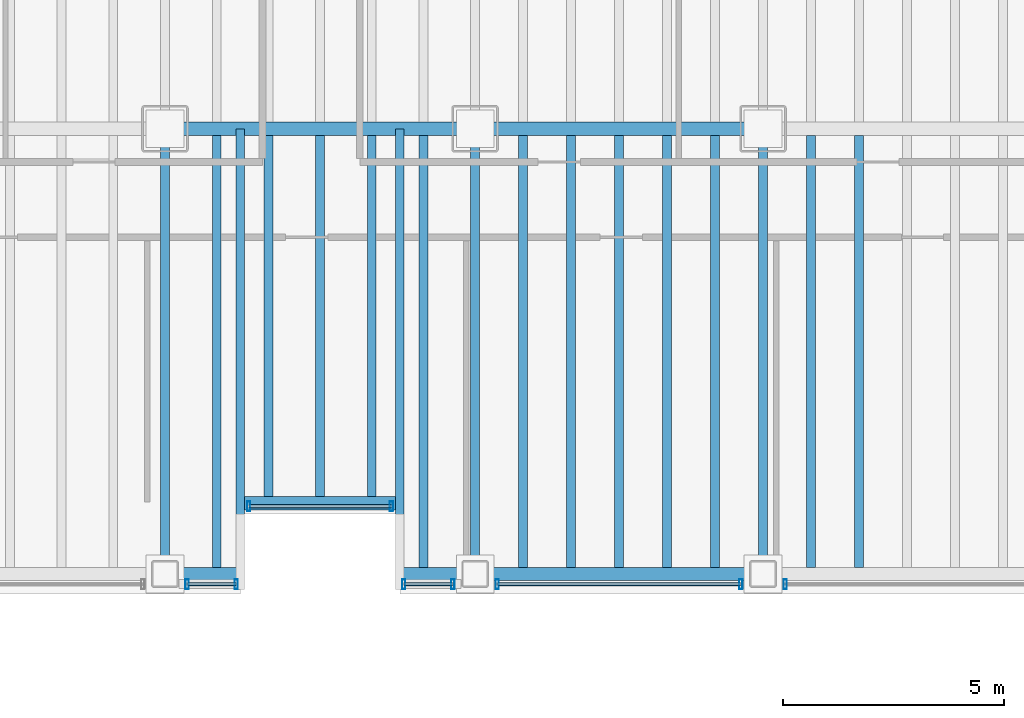
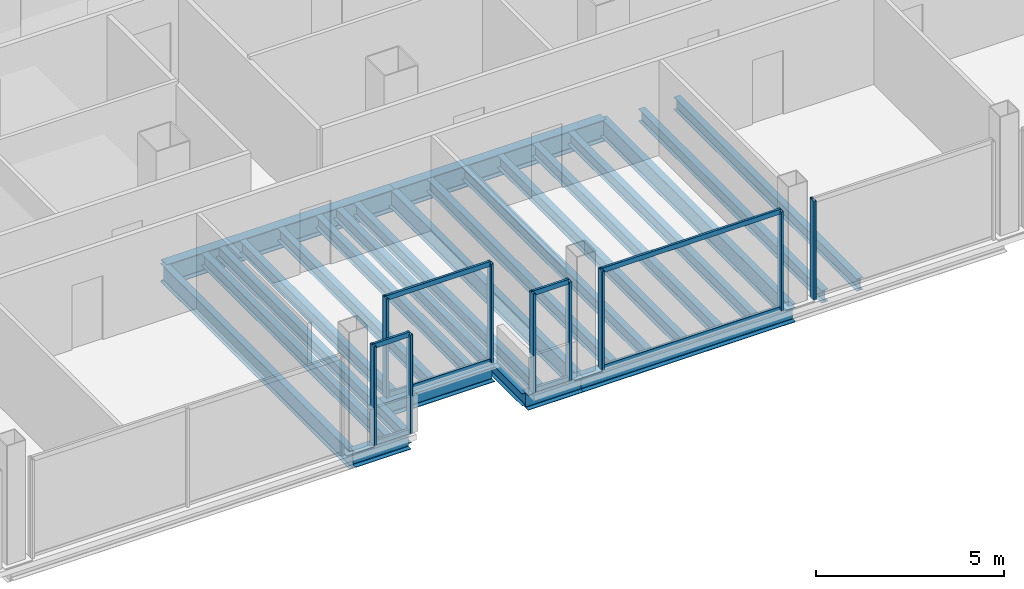
# One storey, part 5 of 22: 23 beams, 17 members, 5 elements without a shape of their own.
"""IFC4 building model written with IfcOpenShell, lengths in metres."""

from ifc_helpers import new_model, si_unit, direction, frame, origin, origin_2d, place, context, subcontext, project, spatial, hollow_rectangle, i_section, extrude, material, material_profile, profile_set, type_object, element, aggregate, save


model = new_model("IFC4")

# Units and contexts
model_context = context("Model", 3, precision=1e-05, world=origin(), true_north=direction((0.0, 1.0)))
body_context = subcontext(model_context, "Body", "Model", "MODEL_VIEW")
ifc_project = project(units=[si_unit("LENGTHUNIT", "METRE"), si_unit("AREAUNIT", "SQUARE_METRE"), si_unit("VOLUMEUNIT", "CUBIC_METRE"), si_unit("PLANEANGLEUNIT", "RADIAN"), si_unit("MASSUNIT", "GRAM", prefix="KILO")], contexts=[model_context])

# Site, building, storey
site_placement = place(None, origin())
site = spatial("IfcSite", under=ifc_project, at=site_placement, CompositionType="ELEMENT")
building_placement = place(site_placement, origin())
building = spatial("IfcBuilding", under=site, at=building_placement, Name="Noeulbin Bourse Tower", CompositionType="ELEMENT")
storey_placement = place(building_placement, frame((0.0, 0.0, 88.89990234375)))
storey = spatial("IfcBuildingStorey", under=building, at=storey_placement, Name="L22", CompositionType="ELEMENT", Elevation=88.89990234375)

# Beams
ifc_material_1 = material(Name="Steel S355", Category="steel")
ifc_material_profile_1 = material_profile(ifc_material_1, i_section(OverallWidth=0.199951171875, OverallDepth=0.60009765625, WebThickness=0.010986328125, FlangeThickness=0.01708984375, FilletRadius=0.02197265625, at=origin_2d()), Name="H-600x200x11x17", Category="LoadBearing")
ifc_profile_set_1 = profile_set([ifc_material_profile_1], Name="Steel S355")
beam_type_1 = type_object("IfcBeamType", Name="BM-GRD-600", PredefinedType="USERDEFINED", material=ifc_profile_set_1)
for number, where, z_axis, x_axis, name in (
    (1, (24.0, 9.949951171875, -0.47998046875), (0.0, 1.0, 0.0), (-1.0, 0.0, 0.0), "Tower Primary Girder NS L22-2.1"),
    (2, (31.0, 9.949951171875, -0.47998046875), (0.0, 1.0, 0.0), (-1.0, 0.0, 0.0), "Tower Primary Girder NS L22-3.1"),
    (3, (37.5, 9.949951171875, -0.47998046875), (0.0, 1.0, 0.0), (-1.0, 0.0, 0.0), "Tower Primary Girder NS L22-4.1"),
):
    element("IfcBeam", number, at=place(storey_placement, frame(where, z_axis=z_axis, x_axis=x_axis)), inside=storey, type_object=beam_type_1, Name=name, ObjectType="GIRDER", PredefinedType="USERDEFINED", context=body_context, shape_type="SweptSolid", body=[
        extrude(i_section(OverallWidth=0.199951171875, OverallDepth=0.60009765625, WebThickness=0.010986328125, FlangeThickness=0.01708984375, FilletRadius=0.02197265625, at=origin_2d()), origin(), (0.0, 0.0, 1.0), 10.050048828125),
    ])
ifc_material_profile_2 = material_profile(ifc_material_1, i_section(OverallWidth=0.300048828125, OverallDepth=0.699951171875, WebThickness=0.012939453125, FlangeThickness=0.02392578125, FilletRadius=0.02392578125, at=origin_2d()), Name="H-700x300x13x24", Category="LoadBearing")
ifc_profile_set_2 = profile_set([ifc_material_profile_2], Name="Steel S355")
beam_type_2 = type_object("IfcBeamType", Name="BM-GRD-700", PredefinedType="USERDEFINED", material=ifc_profile_set_2)
beam_1_placement = place(storey_placement, frame((24.0, 20.0, -0.52978515625), z_axis=(1.0, 0.0, 0.0), x_axis=(0.0, 1.0, 0.0)))
element("IfcBeam", 4, at=beam_1_placement, inside=storey, type_object=beam_type_2, Name="Tower Primary Girder EW L22-1.3", ObjectType="GIRDER", PredefinedType="USERDEFINED", context=body_context, shape_type="SweptSolid", body=[
    extrude(i_section(OverallWidth=0.300048828125, OverallDepth=0.699951171875, WebThickness=0.012939453125, FlangeThickness=0.02392578125, FilletRadius=0.02392578125, at=origin_2d()), origin(), (0.0, 0.0, 1.0), 7.0),
])
beam_2_placement = place(storey_placement, frame((31.0, 20.0, -0.52978515625), z_axis=(1.0, 0.0, 0.0), x_axis=(0.0, 1.0, 0.0)))
element("IfcBeam", 5, at=beam_2_placement, inside=storey, type_object=beam_type_2, Name="Tower Primary Girder EW L22-1.4", ObjectType="GIRDER", PredefinedType="USERDEFINED", context=body_context, shape_type="SweptSolid", body=[
    extrude(i_section(OverallWidth=0.300048828125, OverallDepth=0.699951171875, WebThickness=0.012939453125, FlangeThickness=0.02392578125, FilletRadius=0.02392578125, at=origin_2d()), origin(), (0.0, 0.0, 1.0), 6.5),
])
ifc_material_profile_3 = material_profile(ifc_material_1, i_section(OverallWidth=0.199951171875, OverallDepth=0.39990234375, WebThickness=0.008056640625, FlangeThickness=0.012939453125, FilletRadius=0.01611328125, at=origin_2d()), Name="H-400x200x8x13", Category="LoadBearing")
ifc_profile_set_3 = profile_set([ifc_material_profile_3], Name="Steel S355")
beam_type_3 = type_object("IfcBeamType", Name="BM-SEC-400", PredefinedType="BEAM", material=ifc_profile_set_3)
for number, where, z_axis, x_axis, name in (
    (6, (25.699951171875, 9.949951171875, -0.3798828125), (0.0, 1.0, 0.0), (-1.0, 0.0, 0.0), "BM-L22-SRT-W"),
    (7, (29.300048828125, 9.949951171875, -0.3798828125), (0.0, 1.0, 0.0), (-1.0, 0.0, 0.0), "BM-L22-SRT-E"),
):
    element("IfcBeam", number, at=place(storey_placement, frame(where, z_axis=z_axis, x_axis=x_axis)), inside=storey, type_object=beam_type_3, Name=name, PredefinedType="BEAM", context=body_context, shape_type="SweptSolid", body=[
        extrude(i_section(OverallWidth=0.199951171875, OverallDepth=0.39990234375, WebThickness=0.008056640625, FlangeThickness=0.012939453125, FilletRadius=0.01611328125, at=origin_2d()), origin(), (0.0, 0.0, 1.0), 10.050048828125),
    ])
beam_3_placement = place(storey_placement, frame((25.166748046875, 10.10009765625, -0.3798828125), z_axis=(0.0, 1.0, 0.0), x_axis=(-1.0, 0.0, 0.0)))
element("IfcBeam", 8, at=beam_3_placement, inside=storey, type_object=beam_type_3, Name="Tower Composite Joist L22-25", PredefinedType="BEAM", context=body_context, shape_type="SweptSolid", body=[
    extrude(i_section(OverallWidth=0.199951171875, OverallDepth=0.39990234375, WebThickness=0.008056640625, FlangeThickness=0.012939453125, FilletRadius=0.01611328125, at=origin_2d()), origin(), (0.0, 0.0, 1.0), 9.75),
])
for number, where, z_axis, x_axis, name in (
    (9, (26.333251953125, 11.699951171875, -0.3798828125), (0.0, 1.0, 0.0), (-1.0, 0.0, 0.0), "Tower Composite Joist L22-28"),
    (10, (27.5, 11.699951171875, -0.3798828125), (0.0, 1.0, 0.0), (-1.0, 0.0, 0.0), "Tower Composite Joist L22-31"),
    (11, (28.666748046875, 11.699951171875, -0.3798828125), (0.0, 1.0, 0.0), (-1.0, 0.0, 0.0), "Tower Composite Joist L22-34"),
):
    element("IfcBeam", number, at=place(storey_placement, frame(where, z_axis=z_axis, x_axis=x_axis)), inside=storey, type_object=beam_type_3, Name=name, PredefinedType="BEAM", context=body_context, shape_type="SweptSolid", body=[
        extrude(i_section(OverallWidth=0.199951171875, OverallDepth=0.39990234375, WebThickness=0.008056640625, FlangeThickness=0.012939453125, FilletRadius=0.01611328125, at=origin_2d()), origin(), (0.0, 0.0, 1.0), 8.150146484375),
    ])
for number, where, z_axis, x_axis, name in (
    (12, (29.833251953125, 10.10009765625, -0.3798828125), (0.0, 1.0, 0.0), (-1.0, 0.0, 0.0), "Tower Composite Joist L22-37"),
    (13, (32.083251953125, 10.10009765625, -0.3798828125), (0.0, 1.0, 0.0), (-1.0, 0.0, 0.0), "Tower Composite Joist L22-40"),
    (14, (33.166748046875, 10.10009765625, -0.3798828125), (0.0, 1.0, 0.0), (-1.0, 0.0, 0.0), "Tower Composite Joist L22-43"),
    (15, (34.25, 10.10009765625, -0.3798828125), (0.0, 1.0, 0.0), (-1.0, 0.0, 0.0), "Tower Composite Joist L22-46"),
    (16, (35.333251953125, 10.10009765625, -0.3798828125), (0.0, 1.0, 0.0), (-1.0, 0.0, 0.0), "Tower Composite Joist L22-49"),
    (17, (36.416748046875, 10.10009765625, -0.3798828125), (0.0, 1.0, 0.0), (-1.0, 0.0, 0.0), "Tower Composite Joist L22-52"),
    (18, (38.583251953125, 10.10009765625, -0.3798828125), (0.0, 1.0, 0.0), (-1.0, 0.0, 0.0), "Tower Composite Joist L22-55"),
    (19, (39.666748046875, 10.10009765625, -0.3798828125), (0.0, 1.0, 0.0), (-1.0, 0.0, 0.0), "Tower Composite Joist L22-58"),
):
    element("IfcBeam", number, at=place(storey_placement, frame(where, z_axis=z_axis, x_axis=x_axis)), inside=storey, type_object=beam_type_3, Name=name, PredefinedType="BEAM", context=body_context, shape_type="SweptSolid", body=[
        extrude(i_section(OverallWidth=0.199951171875, OverallDepth=0.39990234375, WebThickness=0.008056640625, FlangeThickness=0.012939453125, FilletRadius=0.01611328125, at=origin_2d()), origin(), (0.0, 0.0, 1.0), 9.75),
    ])
ifc_material_profile_4 = material_profile(ifc_material_1, i_section(OverallWidth=0.300048828125, OverallDepth=0.488037109375, WebThickness=0.010986328125, FlangeThickness=0.01806640625, FilletRadius=0.02197265625, at=origin_2d()), Name="H-488x300x11x18", Category="LoadBearing")
ifc_profile_set_4 = profile_set([ifc_material_profile_4], Name="Steel S355")
beam_type_4 = type_object("IfcBeamType", Name="BM-SPN-488", PredefinedType="SPANDREL", material=ifc_profile_set_4)
beam_4_placement = place(storey_placement, frame((25.800048828125, 11.550048828125, -0.423828125), z_axis=(1.0, 0.0, 0.0), x_axis=(0.0, 1.0, 0.0)))
element("IfcBeam", 20, at=beam_4_placement, inside=storey, type_object=beam_type_4, Name="South Recess Spandrel L22-2B", PredefinedType="SPANDREL", context=body_context, shape_type="SweptSolid", body=[
    extrude(i_section(OverallWidth=0.300048828125, OverallDepth=0.488037109375, WebThickness=0.010986328125, FlangeThickness=0.01806640625, FilletRadius=0.02197265625, at=origin_2d()), origin(), (0.0, 0.0, 1.0), 3.39990234375),
])
for number, where, z_axis, x_axis, name in (
    (21, (24.0, 9.949951171875, -0.423828125), (1.0, 0.0, 0.0), (0.0, 1.0, 0.0), "South Spandrel L22-2A"),
    (22, (29.300048828125, 9.949951171875, -0.423828125), (1.0, 0.0, 0.0), (0.0, 1.0, 0.0), "South Spandrel L22-2C"),
):
    element("IfcBeam", number, at=place(storey_placement, frame(where, z_axis=z_axis, x_axis=x_axis)), inside=storey, type_object=beam_type_4, Name=name, PredefinedType="SPANDREL", context=body_context, shape_type="SweptSolid", body=[
        extrude(i_section(OverallWidth=0.300048828125, OverallDepth=0.488037109375, WebThickness=0.010986328125, FlangeThickness=0.01806640625, FilletRadius=0.02197265625, at=origin_2d()), origin(), (0.0, 0.0, 1.0), 1.699951171875),
    ])
beam_5_placement = place(storey_placement, frame((31.0, 9.949951171875, -0.423828125), z_axis=(1.0, 0.0, 0.0), x_axis=(0.0, 1.0, 0.0)))
element("IfcBeam", 23, at=beam_5_placement, inside=storey, type_object=beam_type_4, Name="South Spandrel L22-3", PredefinedType="SPANDREL", context=body_context, shape_type="SweptSolid", body=[
    extrude(i_section(OverallWidth=0.300048828125, OverallDepth=0.488037109375, WebThickness=0.010986328125, FlangeThickness=0.01806640625, FilletRadius=0.02197265625, at=origin_2d()), origin(), (0.0, 0.0, 1.0), 6.5),
])

# Curtain wall, members
ifc_material_2 = material(Name="Dark Solar-Control Double Glazing", Category="glass")
curtain_wall_type = type_object("IfcCurtainWallType", Name="CW-SYS-2", PredefinedType="NOTDEFINED", material=ifc_material_2)
curtain_wall_1_placement = place(storey_placement, origin())
curtain_wall_1 = element("IfcCurtainWall", 24, at=curtain_wall_1_placement, inside=storey, type_object=curtain_wall_type, Name="Unitised Curtain Wall CW-L22-SREC", PredefinedType="NOTDEFINED")
ifc_material_3 = material(Name="Anodised Aluminium 6063-T6", Category="aluminium")
ifc_material_profile_5 = material_profile(ifc_material_3, hollow_rectangle(XDim=0.074951171875, YDim=0.219970703125, WallThickness=0.0048828125, InnerFilletRadius=0.00244140625, OuterFilletRadius=0.0048828125, at=origin_2d()), Name="ALU-MULL-75x220x5", Category="LoadBearing")
ifc_profile_set_5 = profile_set([ifc_material_profile_5], Name="Anodised Aluminium 6063-T6")
member_type_1 = type_object("IfcMemberType", Name="CW-SYS-2-MUL", PredefinedType="MULLION", material=ifc_profile_set_5)
member_1_placement = place(storey_placement, frame((25.889892578125, 11.47998046875, -0.02001953125), z_axis=(0.0, 0.0, 1.0), x_axis=(1.0, 0.0, 0.0)))
member_1 = element("IfcMember", 25, at=member_1_placement, type_object=member_type_1, Name="Curtain Wall Mullion CW-L22-SREC-M00", PredefinedType="MULLION", context=body_context, shape_type="SweptSolid", body=[
    extrude(hollow_rectangle(XDim=0.074951171875, YDim=0.219970703125, WallThickness=0.0048828125, InnerFilletRadius=0.00244140625, OuterFilletRadius=0.0048828125, at=origin_2d()), origin(), (0.0, 0.0, 1.0), 3.22021484375),
])
member_2_placement = place(storey_placement, frame((29.110107421875, 11.47998046875, -0.02001953125), z_axis=(0.0, 0.0, 1.0), x_axis=(1.0, 0.0, 0.0)))
member_2 = element("IfcMember", 26, at=member_2_placement, type_object=member_type_1, Name="Curtain Wall Mullion CW-L22-SREC-M01", PredefinedType="MULLION", context=body_context, shape_type="SweptSolid", body=[
    extrude(hollow_rectangle(XDim=0.074951171875, YDim=0.219970703125, WallThickness=0.0048828125, InnerFilletRadius=0.00244140625, OuterFilletRadius=0.0048828125, at=origin_2d()), origin(), (0.0, 0.0, 1.0), 3.22021484375),
])

curtain_wall_2_placement = place(storey_placement, origin())
curtain_wall_2 = element("IfcCurtainWall", 27, at=curtain_wall_2_placement, inside=storey, type_object=curtain_wall_type, Name="Unitised Curtain Wall CW-L22-S1-S3", PredefinedType="NOTDEFINED")
member_3_placement = place(storey_placement, frame((24.5, 9.719970703125, -0.02001953125), z_axis=(0.0, 0.0, 1.0), x_axis=(1.0, 0.0, 0.0)))
member_3 = element("IfcMember", 28, at=member_3_placement, type_object=member_type_1, Name="Curtain Wall Mullion CW-L22-S1-S3-M00", PredefinedType="MULLION", context=body_context, shape_type="SweptSolid", body=[
    extrude(hollow_rectangle(XDim=0.074951171875, YDim=0.219970703125, WallThickness=0.0048828125, InnerFilletRadius=0.00244140625, OuterFilletRadius=0.0048828125, at=origin_2d()), origin(), (0.0, 0.0, 1.0), 3.22021484375),
])
member_4_placement = place(storey_placement, frame((25.610107421875, 9.719970703125, -0.02001953125), z_axis=(0.0, 0.0, 1.0), x_axis=(1.0, 0.0, 0.0)))
member_4 = element("IfcMember", 29, at=member_4_placement, type_object=member_type_1, Name="Curtain Wall Mullion CW-L22-S1-S3-M01", PredefinedType="MULLION", context=body_context, shape_type="SweptSolid", body=[
    extrude(hollow_rectangle(XDim=0.074951171875, YDim=0.219970703125, WallThickness=0.0048828125, InnerFilletRadius=0.00244140625, OuterFilletRadius=0.0048828125, at=origin_2d()), origin(), (0.0, 0.0, 1.0), 3.22021484375),
])

curtain_wall_3_placement = place(storey_placement, origin())
curtain_wall_3 = element("IfcCurtainWall", 30, at=curtain_wall_3_placement, inside=storey, type_object=curtain_wall_type, Name="Unitised Curtain Wall CW-L22-S2-S1", PredefinedType="NOTDEFINED")
member_5_placement = place(storey_placement, frame((29.389892578125, 9.719970703125, -0.02001953125), z_axis=(0.0, 0.0, 1.0), x_axis=(1.0, 0.0, 0.0)))
member_5 = element("IfcMember", 31, at=member_5_placement, type_object=member_type_1, Name="Curtain Wall Mullion CW-L22-S2-S1-M00", PredefinedType="MULLION", context=body_context, shape_type="SweptSolid", body=[
    extrude(hollow_rectangle(XDim=0.074951171875, YDim=0.219970703125, WallThickness=0.0048828125, InnerFilletRadius=0.00244140625, OuterFilletRadius=0.0048828125, at=origin_2d()), origin(), (0.0, 0.0, 1.0), 3.22021484375),
])
member_6_placement = place(storey_placement, frame((30.5, 9.719970703125, -0.02001953125), z_axis=(0.0, 0.0, 1.0), x_axis=(1.0, 0.0, 0.0)))
member_6 = element("IfcMember", 32, at=member_6_placement, type_object=member_type_1, Name="Curtain Wall Mullion CW-L22-S2-S1-M01", PredefinedType="MULLION", context=body_context, shape_type="SweptSolid", body=[
    extrude(hollow_rectangle(XDim=0.074951171875, YDim=0.219970703125, WallThickness=0.0048828125, InnerFilletRadius=0.00244140625, OuterFilletRadius=0.0048828125, at=origin_2d()), origin(), (0.0, 0.0, 1.0), 3.22021484375),
])

curtain_wall_4_placement = place(storey_placement, origin())
curtain_wall_4 = element("IfcCurtainWall", 33, at=curtain_wall_4_placement, inside=storey, type_object=curtain_wall_type, Name="Unitised Curtain Wall CW-L22-S2-S2", PredefinedType="NOTDEFINED")
member_7_placement = place(storey_placement, frame((31.5, 9.719970703125, -0.02001953125), z_axis=(0.0, 0.0, 1.0), x_axis=(1.0, 0.0, 0.0)))
member_7 = element("IfcMember", 34, at=member_7_placement, type_object=member_type_1, Name="Curtain Wall Mullion CW-L22-S2-S2-M00", PredefinedType="MULLION", context=body_context, shape_type="SweptSolid", body=[
    extrude(hollow_rectangle(XDim=0.074951171875, YDim=0.219970703125, WallThickness=0.0048828125, InnerFilletRadius=0.00244140625, OuterFilletRadius=0.0048828125, at=origin_2d()), origin(), (0.0, 0.0, 1.0), 3.22021484375),
])
member_8_placement = place(storey_placement, frame((37.0, 9.719970703125, -0.02001953125), z_axis=(0.0, 0.0, 1.0), x_axis=(1.0, 0.0, 0.0)))
member_8 = element("IfcMember", 35, at=member_8_placement, type_object=member_type_1, Name="Curtain Wall Mullion CW-L22-S2-S2-M01", PredefinedType="MULLION", context=body_context, shape_type="SweptSolid", body=[
    extrude(hollow_rectangle(XDim=0.074951171875, YDim=0.219970703125, WallThickness=0.0048828125, InnerFilletRadius=0.00244140625, OuterFilletRadius=0.0048828125, at=origin_2d()), origin(), (0.0, 0.0, 1.0), 3.22021484375),
])

# Curtain wall, member
curtain_wall_5_placement = place(storey_placement, origin())
curtain_wall_5 = element("IfcCurtainWall", 36, at=curtain_wall_5_placement, inside=storey, type_object=curtain_wall_type, Name="Unitised Curtain Wall CW-L22-S2-S3", PredefinedType="NOTDEFINED")
member_9_placement = place(storey_placement, frame((38.0, 9.719970703125, -0.02001953125), z_axis=(0.0, 0.0, 1.0), x_axis=(1.0, 0.0, 0.0)))
member_9 = element("IfcMember", 37, at=member_9_placement, type_object=member_type_1, Name="Curtain Wall Mullion CW-L22-S2-S3-M00", PredefinedType="MULLION", context=body_context, shape_type="SweptSolid", body=[
    extrude(hollow_rectangle(XDim=0.074951171875, YDim=0.219970703125, WallThickness=0.0048828125, InnerFilletRadius=0.00244140625, OuterFilletRadius=0.0048828125, at=origin_2d()), origin(), (0.0, 0.0, 1.0), 3.22021484375),
])
aggregate(curtain_wall_5, [member_9])

# Member
ifc_material_profile_6 = material_profile(ifc_material_3, hollow_rectangle(XDim=0.074951171875, YDim=0.159912109375, WallThickness=0.0048828125, InnerFilletRadius=0.00244140625, OuterFilletRadius=0.0048828125, at=origin_2d()), Name="ALU-TRAN-75x160x5", Category="LoadBearing")
ifc_profile_set_6 = profile_set([ifc_material_profile_6], Name="Anodised Aluminium 6063-T6")
member_type_2 = type_object("IfcMemberType", Name="CW-SYS-2-TRN", PredefinedType="USERDEFINED", material=ifc_profile_set_6)
member_10_placement = place(storey_placement, frame((25.89990234375, 11.47998046875, 0.010009765625), z_axis=(1.0, 0.0, 0.0), x_axis=(0.0, 1.0, 0.0)))
member_10 = element("IfcMember", 38, at=member_10_placement, type_object=member_type_2, Name="Curtain Wall Transom CW-L22-SREC-T00", ObjectType="TRANSOM", PredefinedType="USERDEFINED", context=body_context, shape_type="SweptSolid", body=[
    extrude(hollow_rectangle(XDim=0.074951171875, YDim=0.159912109375, WallThickness=0.0048828125, InnerFilletRadius=0.00244140625, OuterFilletRadius=0.0048828125, at=origin_2d()), origin(), (0.0, 0.0, 1.0), 3.2001953125),
])

member_11_placement = place(storey_placement, frame((25.89990234375, 11.47998046875, 3.170166015625), z_axis=(1.0, 0.0, 0.0), x_axis=(0.0, 1.0, 0.0)))
member_11 = element("IfcMember", 39, at=member_11_placement, type_object=member_type_2, Name="Curtain Wall Transom CW-L22-SREC-T01", ObjectType="TRANSOM", PredefinedType="USERDEFINED", context=body_context, shape_type="SweptSolid", body=[
    extrude(hollow_rectangle(XDim=0.074951171875, YDim=0.159912109375, WallThickness=0.0048828125, InnerFilletRadius=0.00244140625, OuterFilletRadius=0.0048828125, at=origin_2d()), origin(), (0.0, 0.0, 1.0), 3.2001953125),
])

aggregate(curtain_wall_1, [member_1, member_2, member_10, member_11])

member_12_placement = place(storey_placement, frame((24.510009765625, 9.719970703125, 0.010009765625), z_axis=(1.0, 0.0, 0.0), x_axis=(0.0, 1.0, 0.0)))
member_12 = element("IfcMember", 40, at=member_12_placement, type_object=member_type_2, Name="Curtain Wall Transom CW-L22-S1-S3-T00", ObjectType="TRANSOM", PredefinedType="USERDEFINED", context=body_context, shape_type="SweptSolid", body=[
    extrude(hollow_rectangle(XDim=0.074951171875, YDim=0.159912109375, WallThickness=0.0048828125, InnerFilletRadius=0.00244140625, OuterFilletRadius=0.0048828125, at=origin_2d()), origin(), (0.0, 0.0, 1.0), 1.090087890625),
])

member_13_placement = place(storey_placement, frame((24.510009765625, 9.719970703125, 3.170166015625), z_axis=(1.0, 0.0, 0.0), x_axis=(0.0, 1.0, 0.0)))
member_13 = element("IfcMember", 41, at=member_13_placement, type_object=member_type_2, Name="Curtain Wall Transom CW-L22-S1-S3-T01", ObjectType="TRANSOM", PredefinedType="USERDEFINED", context=body_context, shape_type="SweptSolid", body=[
    extrude(hollow_rectangle(XDim=0.074951171875, YDim=0.159912109375, WallThickness=0.0048828125, InnerFilletRadius=0.00244140625, OuterFilletRadius=0.0048828125, at=origin_2d()), origin(), (0.0, 0.0, 1.0), 1.090087890625),
])

aggregate(curtain_wall_2, [member_3, member_4, member_12, member_13])

member_14_placement = place(storey_placement, frame((29.39990234375, 9.719970703125, 0.010009765625), z_axis=(1.0, 0.0, 0.0), x_axis=(0.0, 1.0, 0.0)))
member_14 = element("IfcMember", 42, at=member_14_placement, type_object=member_type_2, Name="Curtain Wall Transom CW-L22-S2-S1-T00", ObjectType="TRANSOM", PredefinedType="USERDEFINED", context=body_context, shape_type="SweptSolid", body=[
    extrude(hollow_rectangle(XDim=0.074951171875, YDim=0.159912109375, WallThickness=0.0048828125, InnerFilletRadius=0.00244140625, OuterFilletRadius=0.0048828125, at=origin_2d()), origin(), (0.0, 0.0, 1.0), 1.090087890625),
])

member_15_placement = place(storey_placement, frame((29.39990234375, 9.719970703125, 3.170166015625), z_axis=(1.0, 0.0, 0.0), x_axis=(0.0, 1.0, 0.0)))
member_15 = element("IfcMember", 43, at=member_15_placement, type_object=member_type_2, Name="Curtain Wall Transom CW-L22-S2-S1-T01", ObjectType="TRANSOM", PredefinedType="USERDEFINED", context=body_context, shape_type="SweptSolid", body=[
    extrude(hollow_rectangle(XDim=0.074951171875, YDim=0.159912109375, WallThickness=0.0048828125, InnerFilletRadius=0.00244140625, OuterFilletRadius=0.0048828125, at=origin_2d()), origin(), (0.0, 0.0, 1.0), 1.090087890625),
])

aggregate(curtain_wall_3, [member_5, member_6, member_14, member_15])

member_16_placement = place(storey_placement, frame((31.510009765625, 9.719970703125, 0.010009765625), z_axis=(1.0, 0.0, 0.0), x_axis=(0.0, 1.0, 0.0)))
member_16 = element("IfcMember", 44, at=member_16_placement, type_object=member_type_2, Name="Curtain Wall Transom CW-L22-S2-S2-T00", ObjectType="TRANSOM", PredefinedType="USERDEFINED", context=body_context, shape_type="SweptSolid", body=[
    extrude(hollow_rectangle(XDim=0.074951171875, YDim=0.159912109375, WallThickness=0.0048828125, InnerFilletRadius=0.00244140625, OuterFilletRadius=0.0048828125, at=origin_2d()), origin(), (0.0, 0.0, 1.0), 5.47998046875),
])

member_17_placement = place(storey_placement, frame((31.510009765625, 9.719970703125, 3.170166015625), z_axis=(1.0, 0.0, 0.0), x_axis=(0.0, 1.0, 0.0)))
member_17 = element("IfcMember", 45, at=member_17_placement, type_object=member_type_2, Name="Curtain Wall Transom CW-L22-S2-S2-T01", ObjectType="TRANSOM", PredefinedType="USERDEFINED", context=body_context, shape_type="SweptSolid", body=[
    extrude(hollow_rectangle(XDim=0.074951171875, YDim=0.159912109375, WallThickness=0.0048828125, InnerFilletRadius=0.00244140625, OuterFilletRadius=0.0048828125, at=origin_2d()), origin(), (0.0, 0.0, 1.0), 5.47998046875),
])

aggregate(curtain_wall_4, [member_7, member_8, member_16, member_17])

save(model, "model.ifc")
